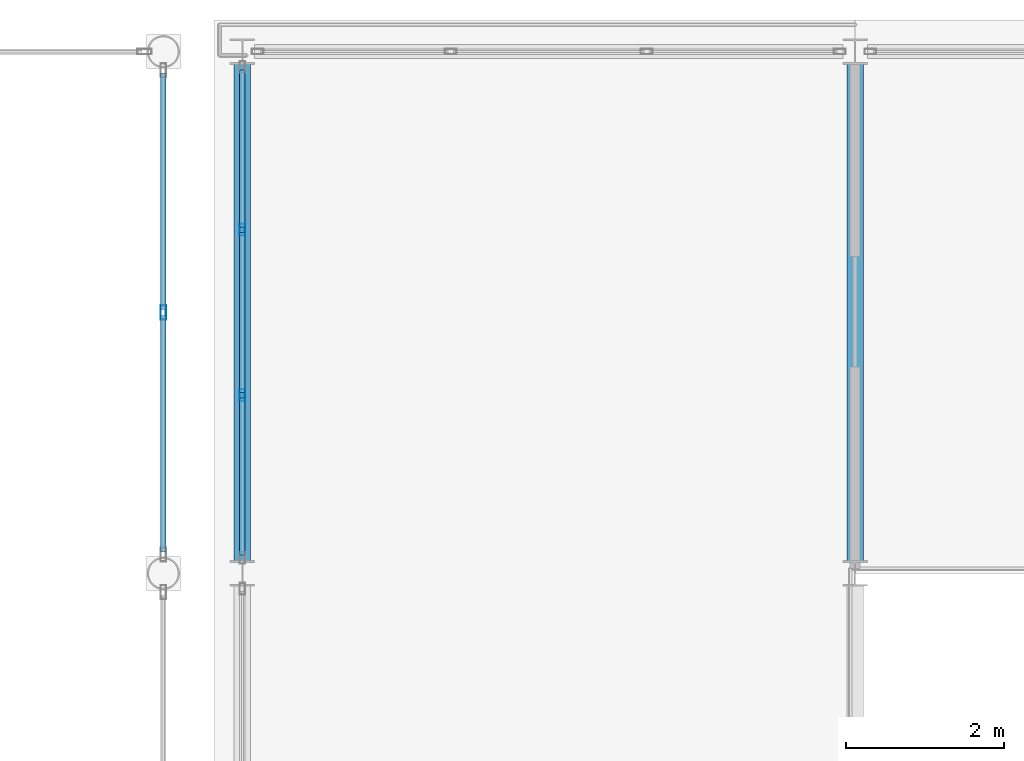
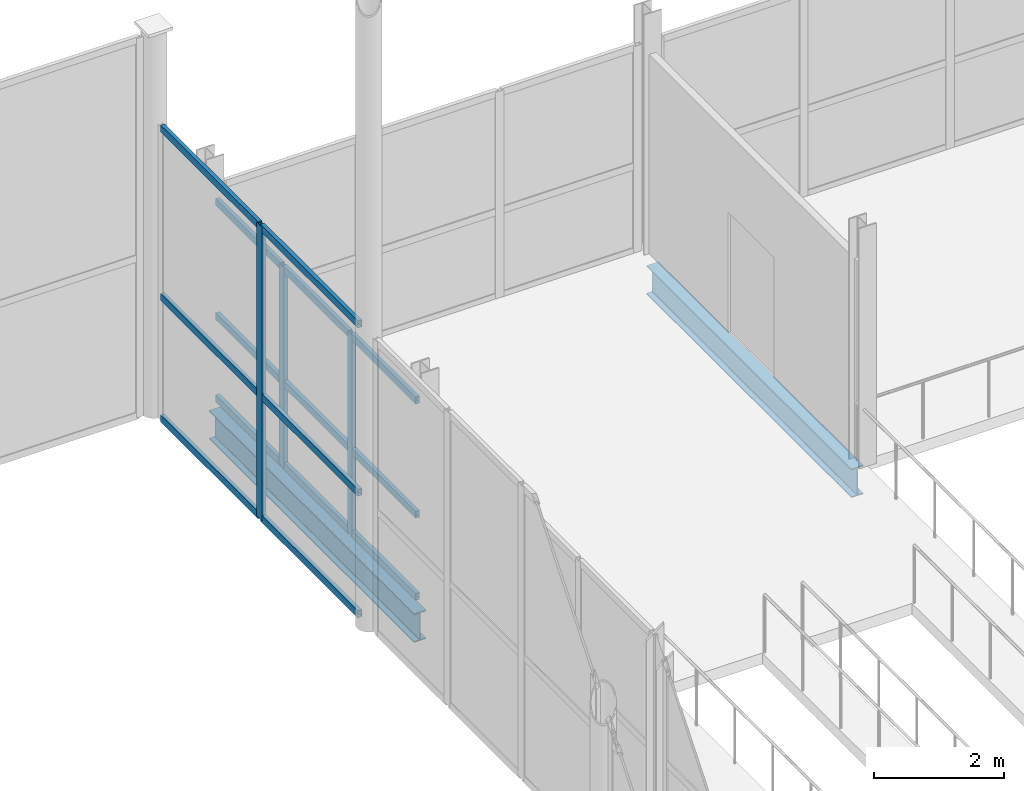
# One storey, part 47 of 77: 18 members, 2 beams, 2 elements without a shape of their own.
"""IFC4 building model written with IfcOpenShell, lengths in metres."""

from ifc_helpers import new_model, si_unit, direction, frame, origin, origin_2d, place, context, subcontext, project, spatial, hollow_rectangle, i_section, extrude, material, layer, layer_set, material_profile, profile_set, type_object, element, aggregate, save


model = new_model("IFC4")

# Units and contexts
model_context = context("Model", 3, precision=1e-05, world=origin(), true_north=direction((0.0, 1.0)))
body_context = subcontext(model_context, "Body", "Model", "MODEL_VIEW")
ifc_project = project(units=[si_unit("LENGTHUNIT", "METRE"), si_unit("AREAUNIT", "SQUARE_METRE"), si_unit("VOLUMEUNIT", "CUBIC_METRE"), si_unit("PLANEANGLEUNIT", "RADIAN"), si_unit("MASSUNIT", "GRAM", prefix="KILO")], contexts=[model_context])

# Site, building, storey
site_placement = place(None, origin())
site = spatial("IfcSite", under=ifc_project, at=site_placement, CompositionType="ELEMENT")
building_placement = place(site_placement, origin())
building = spatial("IfcBuilding", under=site, at=building_placement, Name="Quillay Park Conservatory", CompositionType="ELEMENT")
storey_placement = place(building_placement, frame((0.0, 0.0, 5.39990234375)))
storey = spatial("IfcBuildingStorey", under=building, at=storey_placement, Name="L01", CompositionType="ELEMENT", Elevation=5.39990234375)

# Curtain wall, members
ifc_material_1 = material(Name="Thermally Broken Anodised Aluminium 6063-T6", Category="aluminium")
ifc_layer_1 = layer(ifc_material_1, 0.1650390625)
ifc_layer_set_1 = layer_set([ifc_layer_1], Name="UNITISED CURTAIN WALL PODIUM (Thermally Broken Anodised Aluminium 6063-T6)")
curtain_wall_type_1 = type_object("IfcCurtainWallType", Name="UNITISED CURTAIN WALL PODIUM", PredefinedType="USERDEFINED", material=ifc_layer_set_1)
curtain_wall_1_placement = place(storey_placement, origin())
curtain_wall_1 = element("IfcCurtainWall", 1, at=curtain_wall_1_placement, inside=storey, type_object=curtain_wall_type_1, Name="L01 Unitised Curtain Wall 228", ObjectType="UNITISED CURTAIN WALL", PredefinedType="USERDEFINED")
ifc_material_2 = material(Name="Thermally Broken Anodised Aluminium 6063-T6", Category="aluminium")
ifc_material_profile_1 = material_profile(ifc_material_2, hollow_rectangle(XDim=0.070068359375, YDim=0.14990234375, WallThickness=0.00341796875, at=origin_2d()), Name="AL70x150x3.5")
ifc_profile_set_1 = profile_set([ifc_material_profile_1], Name="Thermally Broken Anodised Aluminium 6063-T6")
member_type_1 = type_object("IfcMemberType", Name="CURTAIN WALL MULLION 70 X150", PredefinedType="MULLION", material=ifc_profile_set_1)
member_1_placement = place(storey_placement, frame((115.85009765625, 109.05322265625, 0.0), z_axis=(0.0, 0.0, 1.0), x_axis=(-1.0, 0.0, 0.0)))
member_1 = element("IfcMember", 2, at=member_1_placement, type_object=member_type_1, Name="CW-P1 mullion 2", PredefinedType="MULLION", context=body_context, shape_type="SweptSolid", body=[
    extrude(hollow_rectangle(XDim=0.070068359375, YDim=0.14990234375, WallThickness=0.00341796875, at=origin_2d()), origin(), (0.0, 0.0, 1.0), 3.7490234375),
])
member_2_placement = place(storey_placement, frame((115.85009765625, 111.146728515625, 0.0), z_axis=(0.0, 0.0, 1.0), x_axis=(-1.0, 0.0, 0.0)))
member_2 = element("IfcMember", 3, at=member_2_placement, type_object=member_type_1, Name="CW-P1 mullion 3", PredefinedType="MULLION", context=body_context, shape_type="SweptSolid", body=[
    extrude(hollow_rectangle(XDim=0.070068359375, YDim=0.14990234375, WallThickness=0.00341796875, at=origin_2d()), origin(), (0.0, 0.0, 1.0), 3.7490234375),
])

ifc_material_3 = material(Name="Thermally Broken Anodised Aluminium 6063-T6", Category="aluminium")
ifc_layer_2 = layer(ifc_material_3, 0.219970703125)
ifc_layer_set_2 = layer_set([ifc_layer_2], Name="UNITISED CURTAIN WALL CONSERVATORY (Thermally Broken Anodised Aluminium 6063-T6)")
curtain_wall_type_2 = type_object("IfcCurtainWallType", Name="UNITISED CURTAIN WALL CONSERVATORY", PredefinedType="USERDEFINED", material=ifc_layer_set_2)
curtain_wall_2_placement = place(storey_placement, origin())
curtain_wall_2 = element("IfcCurtainWall", 4, at=curtain_wall_2_placement, inside=storey, type_object=curtain_wall_type_2, Name="L01 Unitised Curtain Wall 174", ObjectType="UNITISED CURTAIN WALL", PredefinedType="USERDEFINED")
ifc_material_4 = material(Name="Thermally Broken Anodised Aluminium 6063-T6", Category="aluminium")
ifc_material_profile_2 = material_profile(ifc_material_4, hollow_rectangle(XDim=0.070068359375, YDim=0.179931640625, WallThickness=0.00390625, at=origin_2d()), Name="AL70x180x4")
ifc_profile_set_2 = profile_set([ifc_material_profile_2], Name="Thermally Broken Anodised Aluminium 6063-T6")
member_type_2 = type_object("IfcMemberType", Name="CURTAIN WALL MULLION 70 X180", PredefinedType="MULLION", material=ifc_profile_set_2)
member_3_placement = place(storey_placement, frame((114.85009765625, 110.10009765625, 0.0), z_axis=(0.0, 0.0, 1.0), x_axis=(1.0, 0.0, 0.0)))
member_3 = element("IfcMember", 5, at=member_3_placement, type_object=member_type_2, Name="CW-C1 mullion 2", PredefinedType="MULLION", context=body_context, shape_type="SweptSolid", body=[
    extrude(hollow_rectangle(XDim=0.070068359375, YDim=0.179931640625, WallThickness=0.00390625, at=origin_2d()), origin(), (0.0, 0.0, 1.0), 5.5),
])
ifc_material_5 = material(Name="Thermally Broken Anodised Aluminium 6063-T6", Category="aluminium")
ifc_material_profile_3 = material_profile(ifc_material_5, hollow_rectangle(XDim=0.070068359375, YDim=0.1298828125, WallThickness=0.003173828125, at=origin_2d()), Name="AL70x130x3.2")
ifc_profile_set_3 = profile_set([ifc_material_profile_3], Name="Thermally Broken Anodised Aluminium 6063-T6")
member_type_3 = type_object("IfcMemberType", Name="CURTAIN WALL TRANSOM 70 X130", PredefinedType="USERDEFINED", material=ifc_profile_set_3)
member_4_placement = place(storey_placement, frame((114.85009765625, 113.1279296875, 0.03515625), z_axis=(0.0, -1.0, 0.0), x_axis=(1.0, 0.0, 0.0)))
member_4 = element("IfcMember", 6, at=member_4_placement, type_object=member_type_3, Name="CW-C1 transom 1.1", ObjectType="TRANSOM", PredefinedType="USERDEFINED", context=body_context, shape_type="SweptSolid", body=[
    extrude(hollow_rectangle(XDim=0.070068359375, YDim=0.1298828125, WallThickness=0.003173828125, at=origin_2d()), origin(), (0.0, 0.0, 1.0), 2.992919921875),
])
member_5_placement = place(storey_placement, frame((114.85009765625, 113.1279296875, 2.31005859375), z_axis=(0.0, -1.0, 0.0), x_axis=(1.0, 0.0, 0.0)))
member_5 = element("IfcMember", 7, at=member_5_placement, type_object=member_type_3, Name="CW-C1 transom 1.2", ObjectType="TRANSOM", PredefinedType="USERDEFINED", context=body_context, shape_type="SweptSolid", body=[
    extrude(hollow_rectangle(XDim=0.070068359375, YDim=0.1298828125, WallThickness=0.003173828125, at=origin_2d()), origin(), (0.0, 0.0, 1.0), 2.992919921875),
])
member_6_placement = place(storey_placement, frame((114.85009765625, 113.1279296875, 5.465087890625), z_axis=(0.0, -1.0, 0.0), x_axis=(1.0, 0.0, 0.0)))
member_6 = element("IfcMember", 8, at=member_6_placement, type_object=member_type_3, Name="CW-C1 transom 1.3", ObjectType="TRANSOM", PredefinedType="USERDEFINED", context=body_context, shape_type="SweptSolid", body=[
    extrude(hollow_rectangle(XDim=0.070068359375, YDim=0.1298828125, WallThickness=0.003173828125, at=origin_2d()), origin(), (0.0, 0.0, 1.0), 2.992919921875),
])
member_7_placement = place(storey_placement, frame((114.85009765625, 110.06494140625, 0.03515625), z_axis=(0.0, -1.0, 0.0), x_axis=(1.0, 0.0, 0.0)))
member_7 = element("IfcMember", 9, at=member_7_placement, type_object=member_type_3, Name="CW-C1 transom 2.1", ObjectType="TRANSOM", PredefinedType="USERDEFINED", context=body_context, shape_type="SweptSolid", body=[
    extrude(hollow_rectangle(XDim=0.070068359375, YDim=0.1298828125, WallThickness=0.003173828125, at=origin_2d()), origin(), (0.0, 0.0, 1.0), 2.992919921875),
])
member_8_placement = place(storey_placement, frame((114.85009765625, 110.06494140625, 2.31005859375), z_axis=(0.0, -1.0, 0.0), x_axis=(1.0, 0.0, 0.0)))
member_8 = element("IfcMember", 10, at=member_8_placement, type_object=member_type_3, Name="CW-C1 transom 2.2", ObjectType="TRANSOM", PredefinedType="USERDEFINED", context=body_context, shape_type="SweptSolid", body=[
    extrude(hollow_rectangle(XDim=0.070068359375, YDim=0.1298828125, WallThickness=0.003173828125, at=origin_2d()), origin(), (0.0, 0.0, 1.0), 2.992919921875),
])
member_9_placement = place(storey_placement, frame((114.85009765625, 110.06494140625, 5.465087890625), z_axis=(0.0, -1.0, 0.0), x_axis=(1.0, 0.0, 0.0)))
member_9 = element("IfcMember", 11, at=member_9_placement, type_object=member_type_3, Name="CW-C1 transom 2.3", ObjectType="TRANSOM", PredefinedType="USERDEFINED", context=body_context, shape_type="SweptSolid", body=[
    extrude(hollow_rectangle(XDim=0.070068359375, YDim=0.1298828125, WallThickness=0.003173828125, at=origin_2d()), origin(), (0.0, 0.0, 1.0), 2.992919921875),
])
aggregate(curtain_wall_2, [member_3, member_4, member_5, member_6, member_7, member_8, member_9])

# Member
member_10_placement = place(storey_placement, frame((115.85009765625, 107.030029296875, 0.03515625), z_axis=(0.0, 1.0, 0.0), x_axis=(-1.0, 0.0, 0.0)))
member_10 = element("IfcMember", 12, at=member_10_placement, type_object=member_type_3, Name="CW-P1 transom 1.1", ObjectType="TRANSOM", PredefinedType="USERDEFINED", context=body_context, shape_type="SweptSolid", body=[
    extrude(hollow_rectangle(XDim=0.070068359375, YDim=0.1298828125, WallThickness=0.003173828125, at=origin_2d()), origin(), (0.0, 0.0, 1.0), 1.98828125),
])

member_11_placement = place(storey_placement, frame((115.85009765625, 107.030029296875, 1.57470703125), z_axis=(0.0, 1.0, 0.0), x_axis=(-1.0, 0.0, 0.0)))
member_11 = element("IfcMember", 13, at=member_11_placement, type_object=member_type_3, Name="CW-P1 transom 1.2", ObjectType="TRANSOM", PredefinedType="USERDEFINED", context=body_context, shape_type="SweptSolid", body=[
    extrude(hollow_rectangle(XDim=0.070068359375, YDim=0.1298828125, WallThickness=0.003173828125, at=origin_2d()), origin(), (0.0, 0.0, 1.0), 1.98828125),
])

member_12_placement = place(storey_placement, frame((115.85009765625, 107.030029296875, 3.714111328125), z_axis=(0.0, 1.0, 0.0), x_axis=(-1.0, 0.0, 0.0)))
member_12 = element("IfcMember", 14, at=member_12_placement, type_object=member_type_3, Name="CW-P1 transom 1.3", ObjectType="TRANSOM", PredefinedType="USERDEFINED", context=body_context, shape_type="SweptSolid", body=[
    extrude(hollow_rectangle(XDim=0.070068359375, YDim=0.1298828125, WallThickness=0.003173828125, at=origin_2d()), origin(), (0.0, 0.0, 1.0), 1.98828125),
])

member_13_placement = place(storey_placement, frame((115.85009765625, 109.08837890625, 0.03515625), z_axis=(0.0, 1.0, 0.0), x_axis=(-1.0, 0.0, 0.0)))
member_13 = element("IfcMember", 15, at=member_13_placement, type_object=member_type_3, Name="CW-P1 transom 2.1", ObjectType="TRANSOM", PredefinedType="USERDEFINED", context=body_context, shape_type="SweptSolid", body=[
    extrude(hollow_rectangle(XDim=0.070068359375, YDim=0.1298828125, WallThickness=0.003173828125, at=origin_2d()), origin(), (0.0, 0.0, 1.0), 2.023193359375),
])

member_14_placement = place(storey_placement, frame((115.85009765625, 109.08837890625, 1.57470703125), z_axis=(0.0, 1.0, 0.0), x_axis=(-1.0, 0.0, 0.0)))
member_14 = element("IfcMember", 16, at=member_14_placement, type_object=member_type_3, Name="CW-P1 transom 2.2", ObjectType="TRANSOM", PredefinedType="USERDEFINED", context=body_context, shape_type="SweptSolid", body=[
    extrude(hollow_rectangle(XDim=0.070068359375, YDim=0.1298828125, WallThickness=0.003173828125, at=origin_2d()), origin(), (0.0, 0.0, 1.0), 2.023193359375),
])

member_15_placement = place(storey_placement, frame((115.85009765625, 109.08837890625, 3.714111328125), z_axis=(0.0, 1.0, 0.0), x_axis=(-1.0, 0.0, 0.0)))
member_15 = element("IfcMember", 17, at=member_15_placement, type_object=member_type_3, Name="CW-P1 transom 2.3", ObjectType="TRANSOM", PredefinedType="USERDEFINED", context=body_context, shape_type="SweptSolid", body=[
    extrude(hollow_rectangle(XDim=0.070068359375, YDim=0.1298828125, WallThickness=0.003173828125, at=origin_2d()), origin(), (0.0, 0.0, 1.0), 2.023193359375),
])

member_16_placement = place(storey_placement, frame((115.85009765625, 111.181640625, 0.03515625), z_axis=(0.0, 1.0, 0.0), x_axis=(-1.0, 0.0, 0.0)))
member_16 = element("IfcMember", 18, at=member_16_placement, type_object=member_type_3, Name="CW-P1 transom 3.1", ObjectType="TRANSOM", PredefinedType="USERDEFINED", context=body_context, shape_type="SweptSolid", body=[
    extrude(hollow_rectangle(XDim=0.070068359375, YDim=0.1298828125, WallThickness=0.003173828125, at=origin_2d()), origin(), (0.0, 0.0, 1.0), 1.98828125),
])

member_17_placement = place(storey_placement, frame((115.85009765625, 111.181640625, 1.57470703125), z_axis=(0.0, 1.0, 0.0), x_axis=(-1.0, 0.0, 0.0)))
member_17 = element("IfcMember", 19, at=member_17_placement, type_object=member_type_3, Name="CW-P1 transom 3.2", ObjectType="TRANSOM", PredefinedType="USERDEFINED", context=body_context, shape_type="SweptSolid", body=[
    extrude(hollow_rectangle(XDim=0.070068359375, YDim=0.1298828125, WallThickness=0.003173828125, at=origin_2d()), origin(), (0.0, 0.0, 1.0), 1.98828125),
])

member_18_placement = place(storey_placement, frame((115.85009765625, 111.181640625, 3.714111328125), z_axis=(0.0, 1.0, 0.0), x_axis=(-1.0, 0.0, 0.0)))
member_18 = element("IfcMember", 20, at=member_18_placement, type_object=member_type_3, Name="CW-P1 transom 3.3", ObjectType="TRANSOM", PredefinedType="USERDEFINED", context=body_context, shape_type="SweptSolid", body=[
    extrude(hollow_rectangle(XDim=0.070068359375, YDim=0.1298828125, WallThickness=0.003173828125, at=origin_2d()), origin(), (0.0, 0.0, 1.0), 1.98828125),
])

aggregate(curtain_wall_1, [member_1, member_2, member_10, member_11, member_12, member_13, member_14, member_15, member_16, member_17, member_18])

# Beams
ifc_material_6 = material(Name="Steel ASTM A992 Grade 50", Category="steel")
ifc_material_profile_4 = material_profile(ifc_material_6, i_section(OverallWidth=0.2109375, OverallDepth=0.5390625, WebThickness=0.01171875, FlangeThickness=0.018798828125, FilletRadius=0.013916015625, at=origin_2d()), Name="W530x109")
ifc_profile_set_4 = profile_set([ifc_material_profile_4], Name="Steel ASTM A992 Grade 50")
beam_type = type_object("IfcBeamType", Name="PRIMARY FLOOR GIRDER W530 X109", PredefinedType="BEAM", material=ifc_profile_set_4)
for number, where, z_axis, x_axis, name in (
    (21, (115.85009765625, 106.955078125, -0.4794921875), (0.0, 1.0, 0.0), (-1.0, 0.0, 0.0), "L01 beam BM-V2Y-1714"),
    (22, (123.60009765625, 106.955078125, -0.4794921875), (0.0, 1.0, 0.0), (-1.0, 0.0, 0.0), "L01 beam BM-V2Y-1718"),
):
    element("IfcBeam", number, at=place(storey_placement, frame(where, z_axis=z_axis, x_axis=x_axis)), inside=storey, type_object=beam_type, Name=name, PredefinedType="BEAM", context=body_context, shape_type="SweptSolid", body=[
        extrude(i_section(OverallWidth=0.2109375, OverallDepth=0.5390625, WebThickness=0.01171875, FlangeThickness=0.018798828125, FilletRadius=0.013916015625, at=origin_2d()), origin(), (0.0, 0.0, 1.0), 6.2900390625),
    ])

save(model, "model.ifc")
